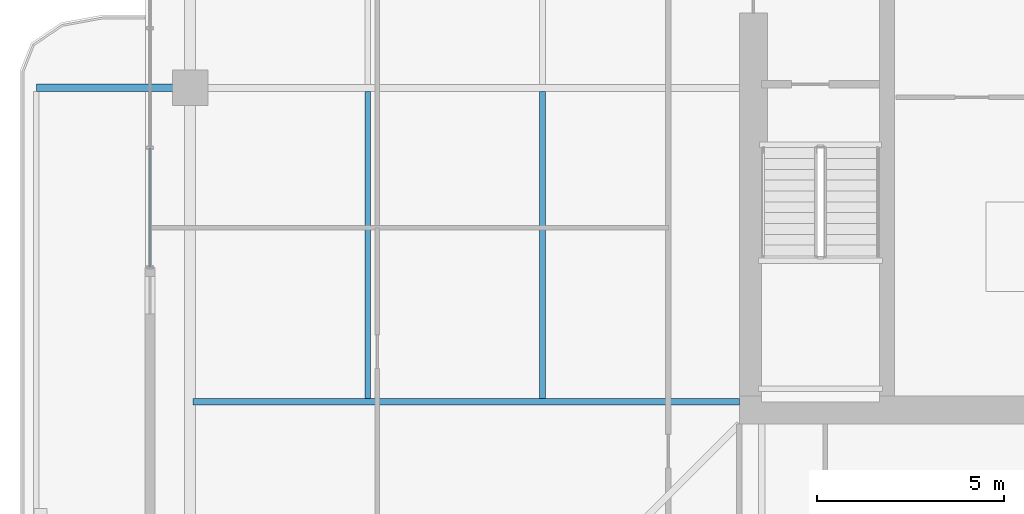
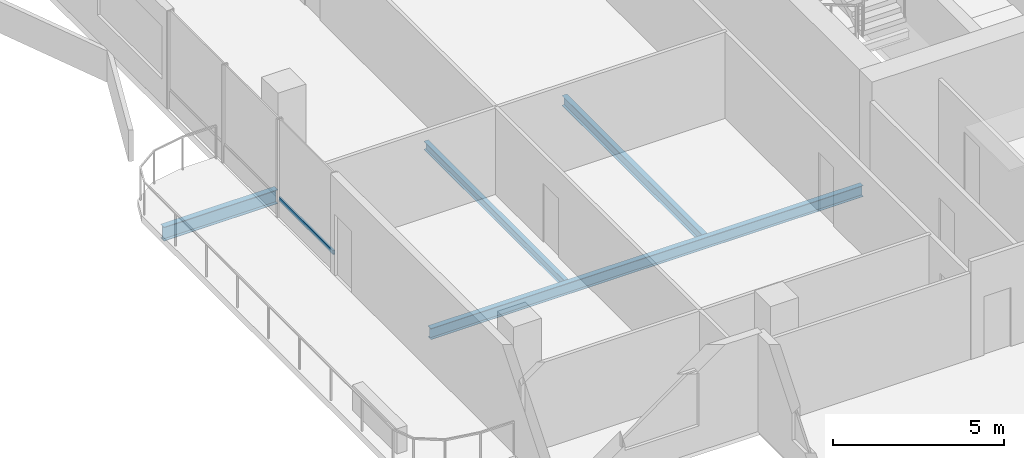
# One storey, part 5 of 25: 4 beams, 1 member, 1 element without a shape of its own.
"""IFC4 building model written with IfcOpenShell, lengths in metres."""

from ifc_helpers import new_model, si_unit, direction, frame, origin, origin_2d, place, context, subcontext, project, spatial, hollow_rectangle, i_section, extrude, material, layer, layer_set, material_profile, profile_set, type_object, element, aggregate, save


model = new_model("IFC4")

# Units and contexts
model_context = context("Model", 3, precision=1e-05, world=origin(), true_north=direction((0.0, 1.0)))
body_context = subcontext(model_context, "Body", "Model", "MODEL_VIEW")
ifc_project = project(units=[si_unit("LENGTHUNIT", "METRE"), si_unit("AREAUNIT", "SQUARE_METRE"), si_unit("VOLUMEUNIT", "CUBIC_METRE"), si_unit("PLANEANGLEUNIT", "RADIAN"), si_unit("MASSUNIT", "GRAM", prefix="KILO")], contexts=[model_context])

# Site, building, storey
site_placement = place(None, origin())
site = spatial("IfcSite", under=ifc_project, at=site_placement, CompositionType="ELEMENT")
building_placement = place(site_placement, origin())
building = spatial("IfcBuilding", under=site, at=building_placement, Name="Belovzor Exchange Tower", CompositionType="ELEMENT")
storey_placement = place(building_placement, frame((0.0, 0.0, 269.10009765625)))
storey = spatial("IfcBuildingStorey", under=building, at=storey_placement, Name="L67", CompositionType="ELEMENT", Elevation=269.10009765625)

# Beams
ifc_material_1 = material(Name="Steel S355", Category="steel")
ifc_material_profile_1 = material_profile(ifc_material_1, i_section(OverallWidth=0.199951171875, OverallDepth=0.5, WebThickness=0.01025390625, FlangeThickness=0.01611328125, at=origin_2d()))
ifc_profile_set_1 = profile_set([ifc_material_profile_1], Name="Steel S355")
beam_type_1 = type_object("IfcBeamType", Name="Planted Balcony Cantilever Beam IPE 500", PredefinedType="BEAM", material=ifc_profile_set_1)
beam_1_placement = place(storey_placement, frame((4.839111328125, 28.800048828125, -0.5), z_axis=(-1.0, 0.0, 0.0), x_axis=(0.0, -1.0, 0.0)))
element("IfcBeam", 1, at=beam_1_placement, inside=storey, type_object=beam_type_1, Name="BC-500 Planted Balcony Cantilever Beam IPE 500", PredefinedType="BEAM", context=body_context, shape_type="SweptSolid", body=[
    extrude(i_section(OverallWidth=0.199951171875, OverallDepth=0.5, WebThickness=0.01025390625, FlangeThickness=0.01611328125, at=origin_2d()), origin(), (0.0, 0.0, 1.0), 3.85009765625),
])
ifc_material_2 = material(Name="Steel S355", Category="steel")
ifc_material_profile_2 = material_profile(ifc_material_2, i_section(OverallWidth=0.169921875, OverallDepth=0.360107421875, WebThickness=0.008056640625, FlangeThickness=0.0126953125, at=origin_2d()))
ifc_profile_set_2 = profile_set([ifc_material_profile_2], Name="Steel S355")
beam_type_2 = type_object("IfcBeamType", Name="Secondary Infill Floor Joist IPE 360", PredefinedType="BEAM", material=ifc_profile_set_2)
beam_2_placement = place(storey_placement, frame((14.534912109375, 20.489990234375, -0.43017578125), z_axis=(0.0, 1.0, 0.0), x_axis=(-1.0, 0.0, 0.0)))
element("IfcBeam", 2, at=beam_2_placement, inside=storey, type_object=beam_type_2, Name="FJ-360 Secondary Infill Floor Joist IPE 360", PredefinedType="BEAM", context=body_context, shape_type="SweptSolid", body=[
    extrude(i_section(OverallWidth=0.169921875, OverallDepth=0.360107421875, WebThickness=0.008056640625, FlangeThickness=0.0126953125, at=origin_2d()), origin(), (0.0, 0.0, 1.0), 8.219970703125),
])
ifc_material_3 = material(Name="Steel S355", Category="steel")
ifc_material_profile_3 = material_profile(ifc_material_3, i_section(OverallWidth=0.14990234375, OverallDepth=0.300048828125, WebThickness=0.007080078125, FlangeThickness=0.0107421875, at=origin_2d()))
ifc_profile_set_3 = profile_set([ifc_material_profile_3], Name="Steel S355")
beam_type_3 = type_object("IfcBeamType", Name="Secondary Trim Floor Joist IPE 300", PredefinedType="BEAM", material=ifc_profile_set_3)
beam_3_placement = place(storey_placement, frame((9.85498046875, 20.489990234375, -0.400146484375), z_axis=(0.0, 1.0, 0.0), x_axis=(-1.0, 0.0, 0.0)))
element("IfcBeam", 3, at=beam_3_placement, inside=storey, type_object=beam_type_3, Name="FJ-300 Secondary Trim Floor Joist IPE 300", PredefinedType="BEAM", context=body_context, shape_type="SweptSolid", body=[
    extrude(i_section(OverallWidth=0.14990234375, OverallDepth=0.300048828125, WebThickness=0.007080078125, FlangeThickness=0.0107421875, at=origin_2d()), origin(), (0.0, 0.0, 1.0), 8.219970703125),
])

# Curtain wall, member
ifc_material_4 = material(Name="Anodised Aluminium Framing", Category="aluminium")
ifc_layer = layer(ifc_material_4, 0.179931640625)
ifc_layer_set = layer_set([ifc_layer], Name="Anodised Aluminium Framing")
curtain_wall_type = type_object("IfcCurtainWallType", Name="Recessed Loggia Low-Iron Triple-Glazed Curtain Wall", PredefinedType="NOTDEFINED", material=ifc_layer_set)
curtain_wall_placement = place(storey_placement, origin())
curtain_wall = element("IfcCurtainWall", 4, at=curtain_wall_placement, inside=storey, type_object=curtain_wall_type, Name="CW3 Recessed Loggia Low-Iron Triple-Glazed Curtain Wall L67", PredefinedType="NOTDEFINED")
ifc_material_5 = material(Name="Steel S355", Category="steel")
ifc_material_profile_4 = material_profile(ifc_material_5, hollow_rectangle(XDim=0.06005859375, YDim=0.14990234375, WallThickness=0.00390625, at=origin_2d()))
ifc_profile_set_4 = profile_set([ifc_material_profile_4], Name="Steel S355")
member_type = type_object("IfcMemberType", Name="Thermally Broken Curtain Wall Transom 150x60", PredefinedType="USERDEFINED", material=ifc_profile_set_4)
member_placement = place(storey_placement, frame((4.030029296875, 24.008056640625, 0.6298828125), z_axis=(0.0, 1.0, 0.0), x_axis=(-1.0, 0.0, 0.0)))
member = element("IfcMember", 5, at=member_placement, type_object=member_type, Name="CW-T150 Curtain Wall Transom 1", ObjectType="TRANSOM", PredefinedType="USERDEFINED", context=body_context, shape_type="SweptSolid", body=[
    extrude(hollow_rectangle(XDim=0.06005859375, YDim=0.14990234375, WallThickness=0.00390625, at=origin_2d()), origin(), (0.0, 0.0, 1.0), 3.183837890625),
])
aggregate(curtain_wall, [member])

# Beam
ifc_material_6 = material(Name="Steel S355", Category="steel")
ifc_material_profile_5 = material_profile(ifc_material_6, i_section(OverallWidth=0.179931640625, OverallDepth=0.39990234375, WebThickness=0.008544921875, FlangeThickness=0.013427734375, at=origin_2d()))
ifc_profile_set_5 = profile_set([ifc_material_profile_5], Name="Steel S355")
beam_type_4 = type_object("IfcBeamType", Name="Zone 5-6 Radial Composite Floor Beam IPE 400", PredefinedType="BEAM", material=ifc_profile_set_5)
beam_4_placement = place(storey_placement, frame((19.800048828125, 20.39990234375, -0.4501953125), z_axis=(-1.0, 0.0, 0.0), x_axis=(0.0, -1.0, 0.0)))
element("IfcBeam", 6, at=beam_4_placement, inside=storey, type_object=beam_type_4, Name="FB-400 Zone 5-6 Radial Composite Floor Beam IPE 400", PredefinedType="BEAM", context=body_context, shape_type="SweptSolid", body=[
    extrude(i_section(OverallWidth=0.179931640625, OverallDepth=0.39990234375, WebThickness=0.008544921875, FlangeThickness=0.013427734375, at=origin_2d()), origin(), (0.0, 0.0, 1.0), 14.625),
])

save(model, "model.ifc")
